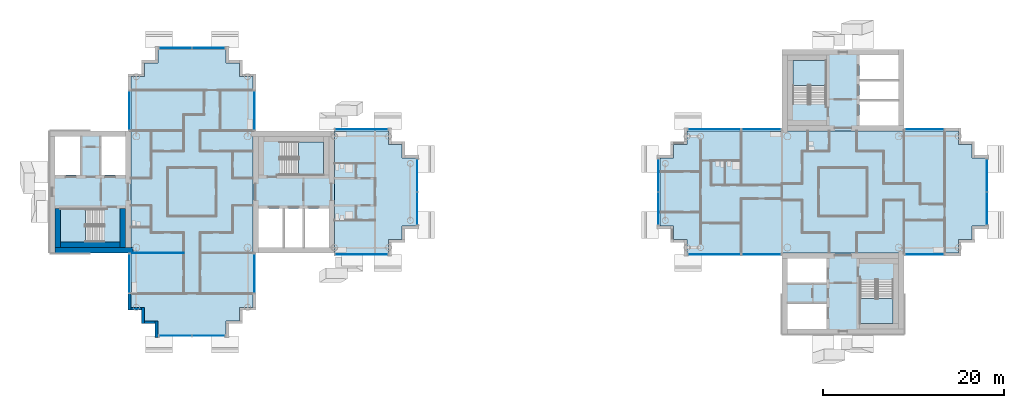
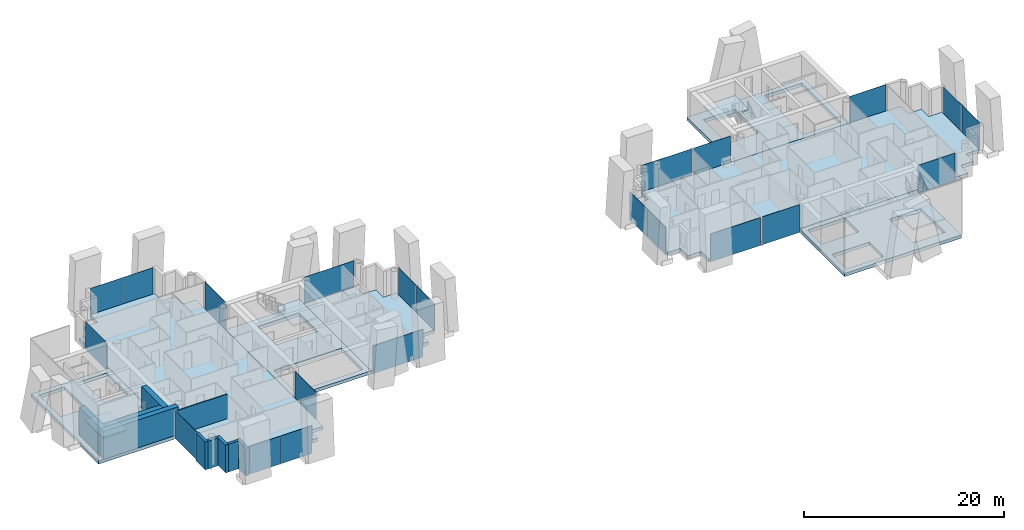
# One storey, part 5 of 18: 22 plates, 11 slabs, 10 walls, 21 elements without a shape of their own.
"""IFC4 building model written with IfcOpenShell, lengths in metres."""

from ifc_helpers import new_model, si_unit, direction, frame, frame_2d, origin, origin_2d, place, context, subcontext, project, spatial, polyline, rectangle, outline, extrude, material, layer, layer_set, type_object, element, aggregate, save


model = new_model("IFC4")

# Units and contexts
model_context = context("Model", 3, precision=1e-05, world=origin(), true_north=direction((0.0, 1.0)))
body_context = subcontext(model_context, "Body", "Model", "MODEL_VIEW")
ifc_project = project(units=[si_unit("LENGTHUNIT", "METRE"), si_unit("AREAUNIT", "SQUARE_METRE"), si_unit("VOLUMEUNIT", "CUBIC_METRE"), si_unit("PLANEANGLEUNIT", "RADIAN"), si_unit("MASSUNIT", "GRAM", prefix="KILO")], contexts=[model_context])

# Site, building, storey
site_placement = place(None, origin())
site = spatial("IfcSite", under=ifc_project, at=site_placement, CompositionType="ELEMENT")
building_placement = place(site_placement, origin())
building = spatial("IfcBuilding", under=site, at=building_placement, Name="Ipe Terrace Towers", CompositionType="ELEMENT")
storey_placement = place(building_placement, frame((0.0, 0.0, 196.0)))
storey = spatial("IfcBuildingStorey", under=building, at=storey_placement, Name="L54", CompositionType="ELEMENT", Elevation=196.0)

# Slabs
ifc_material_1 = material(Name="Concrete C30/37", Category="concrete")
ifc_layer_1 = layer(ifc_material_1, 0.39990234375)
ifc_layer_set_1 = layer_set([ifc_layer_1], Name="CORE FLOOR SLAB 400 C30-37")
slab_type_1 = type_object("IfcSlabType", Name="CORE FLOOR SLAB 400 C30-37", PredefinedType="FLOOR", material=ifc_layer_set_1)
slab_1_placement = place(storey_placement, frame((0.0, 0.0, -0.39990234375)))
element("IfcSlab", 1, at=slab_1_placement, inside=storey, type_object=slab_type_1, Name="Core floor T1-C1", PredefinedType="FLOOR", context=body_context, shape_type="SweptSolid", body=[
    extrude(outline(polyline([(-29.25, -6.75), (-29.25, 6.75), (-20.25, 6.75), (-20.25, -6.75), (-29.25, -6.75)]), holes=[polyline([(-28.64990234375, -6.14990234375), (-20.85009765625, -6.14990234375), (-20.85009765625, -1.85009765625), (-28.64990234375, -1.85009765625), (-28.64990234375, -6.14990234375)]), polyline([(-26.199951171875, 5.550048828125), (-26.199951171875, 1.89990234375), (-21.449951171875, 1.89990234375), (-21.449951171875, 5.550048828125), (-26.199951171875, 5.550048828125)])]), origin(), (0.0, 0.0, 1.0), 0.39990234375),
])
slab_2_placement = place(storey_placement, frame((0.0, 0.0, -0.39990234375)))
element("IfcSlab", 2, at=slab_2_placement, inside=storey, type_object=slab_type_1, Name="Core floor T1-C2", PredefinedType="FLOOR", context=body_context, shape_type="SweptSolid", body=[
    extrude(outline(polyline([(-51.75, -6.75), (-51.75, 6.75), (-42.75, 6.75), (-42.75, -6.75), (-51.75, -6.75)]), holes=[polyline([(-45.800048828125, -1.89990234375), (-50.550048828125, -1.89990234375), (-50.550048828125, -5.550048828125), (-45.800048828125, -5.550048828125), (-45.800048828125, -1.89990234375)]), polyline([(-48.25, 1.85009765625), (-48.25, 6.14990234375), (-51.14990234375, 6.14990234375), (-51.14990234375, 1.85009765625), (-48.25, 1.85009765625)]), polyline([(-43.35009765625, 1.85009765625), (-43.35009765625, 6.14990234375), (-46.14990234375, 6.14990234375), (-46.14990234375, 1.85009765625), (-43.35009765625, 1.85009765625)])]), origin(), (0.0, 0.0, 1.0), 0.39990234375),
])
slab_3_placement = place(storey_placement, frame((0.0, 0.0, -0.39990234375)))
element("IfcSlab", 3, at=slab_3_placement, inside=storey, type_object=slab_type_1, Name="Core floor T2-C1", PredefinedType="FLOOR", context=body_context, shape_type="SweptSolid", body=[
    extrude(outline(polyline([(29.25, 6.75), (29.25, 15.75), (42.75, 15.75), (42.75, 6.75), (29.25, 6.75)]), holes=[polyline([(42.14990234375, 7.35009765625), (42.14990234375, 15.14990234375), (37.85009765625, 15.14990234375), (37.85009765625, 7.35009765625), (42.14990234375, 7.35009765625)]), polyline([(30.449951171875, 9.800048828125), (34.10009765625, 9.800048828125), (34.10009765625, 14.550048828125), (30.449951171875, 14.550048828125), (30.449951171875, 9.800048828125)])]), origin(), (0.0, 0.0, 1.0), 0.39990234375),
])
slab_4_placement = place(storey_placement, frame((0.0, 0.0, -0.39990234375)))
element("IfcSlab", 4, at=slab_4_placement, inside=storey, type_object=slab_type_1, Name="Core floor T2-C2", PredefinedType="FLOOR", context=body_context, shape_type="SweptSolid", body=[
    extrude(outline(polyline([(29.25, -15.75), (29.25, -6.75), (42.75, -6.75), (42.75, -15.75), (29.25, -15.75)]), holes=[polyline([(29.85009765625, -12.25), (29.85009765625, -15.14990234375), (34.14990234375, -15.14990234375), (34.14990234375, -12.25), (29.85009765625, -12.25)]), polyline([(41.550048828125, -9.800048828125), (37.89990234375, -9.800048828125), (37.89990234375, -14.550048828125), (41.550048828125, -14.550048828125), (41.550048828125, -9.800048828125)]), polyline([(34.14990234375, -7.35009765625), (29.85009765625, -7.35009765625), (29.85009765625, -10.14990234375), (34.14990234375, -10.14990234375), (34.14990234375, -7.35009765625)])]), origin(), (0.0, 0.0, 1.0), 0.39990234375),
])

# Stair, slab
ifc_material_2 = material(Name="Concrete C30/37", Category="concrete")
stair_type = type_object("IfcStairType", Name="Protected exit stair", PredefinedType="HALF_TURN_STAIR", material=ifc_material_2)
stair_1_placement = place(storey_placement, origin())
stair_1 = element("IfcStair", 5, at=stair_1_placement, inside=storey, type_object=stair_type, Name="L54 Exit stair T1-C1", PredefinedType="HALF_TURN_STAIR")
ifc_material_3 = material(Name="Concrete C30/37", Category="concrete")
ifc_layer_2 = layer(ifc_material_3, 0.199951171875)
ifc_layer_set_2 = layer_set([ifc_layer_2], Name="Exit stair landing 200")
slab_type_2 = type_object("IfcSlabType", Name="Exit stair landing 200", PredefinedType="LANDING", material=ifc_layer_set_2)
slab_5_placement = place(storey_placement, frame((0.0, 0.0, 1.5)))
slab_5 = element("IfcSlab", 6, at=slab_5_placement, type_object=slab_type_2, Name="T1-ST1 landing 1", PredefinedType="LANDING", context=body_context, shape_type="SweptSolid", body=[
    extrude(outline(polyline([(-24.219970703125, 1.89990234375), (-21.449951171875, 1.89990234375), (-21.449951171875, 5.550048828125), (-24.219970703125, 5.550048828125), (-24.219970703125, 1.89990234375)])), origin(), (0.0, 0.0, 1.0), 0.199951171875),
])
aggregate(stair_1, [slab_5])

stair_2_placement = place(storey_placement, origin())
stair_2 = element("IfcStair", 7, at=stair_2_placement, inside=storey, type_object=stair_type, Name="L54 Exit stair T1-C2", PredefinedType="HALF_TURN_STAIR")
slab_6_placement = place(storey_placement, frame((0.0, 0.0, 1.5)))
slab_6 = element("IfcSlab", 8, at=slab_6_placement, type_object=slab_type_2, Name="T1-ST2 landing 1", PredefinedType="LANDING", context=body_context, shape_type="SweptSolid", body=[
    extrude(outline(polyline([(-47.780029296875, -1.89990234375), (-50.550048828125, -1.89990234375), (-50.550048828125, -5.550048828125), (-47.780029296875, -5.550048828125), (-47.780029296875, -1.89990234375)])), origin(), (0.0, 0.0, 1.0), 0.199951171875),
])
aggregate(stair_2, [slab_6])

stair_3_placement = place(storey_placement, origin())
stair_3 = element("IfcStair", 9, at=stair_3_placement, inside=storey, type_object=stair_type, Name="L54 Exit stair T2-C1", PredefinedType="HALF_TURN_STAIR")
slab_7_placement = place(storey_placement, frame((0.0, 0.0, 1.5)))
slab_7 = element("IfcSlab", 10, at=slab_7_placement, type_object=slab_type_2, Name="T2-ST1 landing 1", PredefinedType="LANDING", context=body_context, shape_type="SweptSolid", body=[
    extrude(outline(polyline([(34.10009765625, 11.780029296875), (34.10009765625, 14.550048828125), (30.449951171875, 14.550048828125), (30.449951171875, 11.780029296875), (34.10009765625, 11.780029296875)])), origin(), (0.0, 0.0, 1.0), 0.199951171875),
])
aggregate(stair_3, [slab_7])

stair_4_placement = place(storey_placement, origin())
stair_4 = element("IfcStair", 11, at=stair_4_placement, inside=storey, type_object=stair_type, Name="L54 Exit stair T2-C2", PredefinedType="HALF_TURN_STAIR")
slab_8_placement = place(storey_placement, frame((0.0, 0.0, 1.5)))
slab_8 = element("IfcSlab", 12, at=slab_8_placement, type_object=slab_type_2, Name="T2-ST2 landing 1", PredefinedType="LANDING", context=body_context, shape_type="SweptSolid", body=[
    extrude(outline(polyline([(37.89990234375, -11.780029296875), (37.89990234375, -14.550048828125), (41.550048828125, -14.550048828125), (41.550048828125, -11.780029296875), (37.89990234375, -11.780029296875)])), origin(), (0.0, 0.0, 1.0), 0.199951171875),
])
aggregate(stair_4, [slab_8])

# Slabs
ifc_material_4 = material(Name="Concrete C40/50", Category="concrete")
ifc_layer_3 = layer(ifc_material_4, 0.39990234375)
ifc_layer_set_3 = layer_set([ifc_layer_3], Name="FLAT PLATE SLAB 400 C40-50")
slab_type_3 = type_object("IfcSlabType", Name="FLAT PLATE SLAB 400 C40-50", PredefinedType="FLOOR", material=ifc_layer_set_3)
slab_9_placement = place(storey_placement, frame((0.0, 0.0, -0.39990234375)))
element("IfcSlab", 13, at=slab_9_placement, inside=storey, type_object=slab_type_3, Name="Slab T1-FS-Z41", PredefinedType="FLOOR", context=body_context, shape_type="SweptSolid", body=[
    extrude(outline(polyline([(-30.75, -12.75), (-30.75, -14.25), (-32.25, -14.25), (-32.25, -15.75), (-39.75, -15.75), (-39.75, -14.25), (-41.25, -14.25), (-41.25, -12.75), (-42.75, -12.75), (-42.75, -6.75), (-42.75, 6.75), (-42.75, 12.75), (-41.25, 12.75), (-41.25, 14.25), (-39.75, 14.25), (-39.75, 15.75), (-32.25, 15.75), (-32.25, 14.25), (-30.75, 14.25), (-30.75, 12.75), (-29.25, 12.75), (-29.25, 6.75), (-29.25, -6.75), (-29.25, -12.75), (-30.75, -12.75)])), origin(), (0.0, 0.0, 1.0), 0.39990234375),
])
slab_10_placement = place(storey_placement, frame((0.0, 0.0, -0.39990234375)))
element("IfcSlab", 14, at=slab_10_placement, inside=storey, type_object=slab_type_3, Name="Slab T1-FS-Z42", PredefinedType="FLOOR", context=body_context, shape_type="SweptSolid", body=[
    extrude(outline(polyline([(-14.25, 5.25), (-12.75, 5.25), (-12.75, 3.75), (-11.25, 3.75), (-11.25, -3.75), (-12.75, -3.75), (-12.75, -5.25), (-14.25, -5.25), (-14.25, -6.75), (-20.25, -6.75), (-20.25, 6.75), (-14.25, 6.75), (-14.25, 5.25)])), origin(), (0.0, 0.0, 1.0), 0.39990234375),
])
slab_11_placement = place(storey_placement, frame((0.0, 0.0, -0.39990234375)))
element("IfcSlab", 15, at=slab_11_placement, inside=storey, type_object=slab_type_3, Name="Slab T2-FS-Z41", PredefinedType="FLOOR", context=body_context, shape_type="SweptSolid", body=[
    extrude(outline(polyline([(48.75, 5.25), (50.25, 5.25), (50.25, 3.75), (51.75, 3.75), (51.75, -3.75), (50.25, -3.75), (50.25, -5.25), (48.75, -5.25), (48.75, -6.75), (42.75, -6.75), (29.25, -6.75), (18.75, -6.75), (18.75, -5.25), (17.25, -5.25), (17.25, -3.75), (15.75, -3.75), (15.75, 3.75), (17.25, 3.75), (17.25, 5.25), (18.75, 5.25), (18.75, 6.75), (29.25, 6.75), (42.75, 6.75), (48.75, 6.75), (48.75, 5.25)])), origin(), (0.0, 0.0, 1.0), 0.39990234375),
])

# Curtain wall, plate
ifc_material_5 = material(Name="Aluminium alloy 6063-T6", Category="aluminium")
ifc_layer_4 = layer(ifc_material_5, 0.320068359375)
ifc_layer_set_4 = layer_set([ifc_layer_4], Name="TOWER UNITISED CURTAIN WALL")
curtain_wall_type = type_object("IfcCurtainWallType", Name="TOWER UNITISED CURTAIN WALL", PredefinedType="NOTDEFINED", material=ifc_layer_set_4)
curtain_wall_1_placement = place(storey_placement, origin())
curtain_wall_1 = element("IfcCurtainWall", 16, at=curtain_wall_1_placement, inside=storey, type_object=curtain_wall_type, Name="T1-CW-L54-02a curtain wall", PredefinedType="NOTDEFINED")
ifc_material_6 = material(Name="Glass, clear laminated", Category="glass")
ifc_layer_5 = layer(ifc_material_6, 0.031982421875)
ifc_layer_set_5 = layer_set([ifc_layer_5], Name="TOWER UNITISED GLASS PANEL 32")
plate_type = type_object("IfcPlateType", Name="TOWER UNITISED GLASS PANEL 32", PredefinedType="CURTAIN_PANEL", material=ifc_layer_set_5)
plate_1_placement = place(storey_placement, frame((-42.909912109375, -9.0, -0.300048828125), z_axis=(0.0, 0.0, 1.0), x_axis=(0.0, -1.0, 0.0)))
plate_1 = element("IfcPlate", 17, at=plate_1_placement, type_object=plate_type, Name="T1-CW-L54-02a panel 1", PredefinedType="CURTAIN_PANEL", context=body_context, shape_type="SweptSolid", body=[
    extrude(rectangle(XDim=4.260009765625, YDim=0.031982421875, at=origin_2d()), origin(), (0.0, 0.0, 1.0), 3.39990234375),
])
aggregate(curtain_wall_1, [plate_1])

# Curtain wall, plates
curtain_wall_2_placement = place(storey_placement, origin())
curtain_wall_2 = element("IfcCurtainWall", 18, at=curtain_wall_2_placement, inside=storey, type_object=curtain_wall_type, Name="T1-CW-L54-08a curtain wall", PredefinedType="NOTDEFINED")
plate_2_placement = place(storey_placement, frame((-37.831298828125, -15.909912109375, -0.300048828125), z_axis=(0.0, 0.0, 1.0), x_axis=(1.0, 0.0, 0.0)))
plate_2 = element("IfcPlate", 19, at=plate_2_placement, type_object=plate_type, Name="T1-CW-L54-08a panel 1", PredefinedType="CURTAIN_PANEL", context=body_context, shape_type="SweptSolid", body=[
    extrude(rectangle(XDim=3.597412109375, YDim=0.031982421875, at=origin_2d()), origin(), (0.0, 0.0, 1.0), 3.39990234375),
])
plate_3_placement = place(storey_placement, frame((-34.168701171875, -15.909912109375, -0.300048828125), z_axis=(0.0, 0.0, 1.0), x_axis=(1.0, 0.0, 0.0)))
plate_3 = element("IfcPlate", 20, at=plate_3_placement, type_object=plate_type, Name="T1-CW-L54-08a panel 2", PredefinedType="CURTAIN_PANEL", context=body_context, shape_type="SweptSolid", body=[
    extrude(rectangle(XDim=3.597412109375, YDim=0.031982421875, at=origin_2d()), origin(), (0.0, 0.0, 1.0), 3.39990234375),
])
aggregate(curtain_wall_2, [plate_2, plate_3])

# Curtain wall, plate
curtain_wall_3_placement = place(storey_placement, origin())
curtain_wall_3 = element("IfcCurtainWall", 21, at=curtain_wall_3_placement, inside=storey, type_object=curtain_wall_type, Name="T1-CW-L54-14a curtain wall", PredefinedType="NOTDEFINED")
plate_4_placement = place(storey_placement, frame((-29.090087890625, -9.0, -0.300048828125), z_axis=(0.0, 0.0, 1.0), x_axis=(0.0, 1.0, 0.0)))
plate_4 = element("IfcPlate", 22, at=plate_4_placement, type_object=plate_type, Name="T1-CW-L54-14a panel 1", PredefinedType="CURTAIN_PANEL", context=body_context, shape_type="SweptSolid", body=[
    extrude(rectangle(XDim=4.260009765625, YDim=0.031982421875, at=origin_2d()), origin(), (0.0, 0.0, 1.0), 3.39990234375),
])
aggregate(curtain_wall_3, [plate_4])

curtain_wall_4_placement = place(storey_placement, origin())
curtain_wall_4 = element("IfcCurtainWall", 23, at=curtain_wall_4_placement, inside=storey, type_object=curtain_wall_type, Name="T1-CW-L54-16b curtain wall", PredefinedType="NOTDEFINED")
plate_5_placement = place(storey_placement, frame((-17.24951171875, -6.909912109375, -0.300048828125), z_axis=(0.0, 0.0, 1.0), x_axis=(1.0, 0.0, 0.0)))
plate_5 = element("IfcPlate", 24, at=plate_5_placement, type_object=plate_type, Name="T1-CW-L54-16b panel 1", PredefinedType="CURTAIN_PANEL", context=body_context, shape_type="SweptSolid", body=[
    extrude(rectangle(XDim=5.759033203125, YDim=0.031982421875, at=origin_2d()), origin(), (0.0, 0.0, 1.0), 3.39990234375),
])
aggregate(curtain_wall_4, [plate_5])

# Curtain wall, plates
curtain_wall_5_placement = place(storey_placement, origin())
curtain_wall_5 = element("IfcCurtainWall", 25, at=curtain_wall_5_placement, inside=storey, type_object=curtain_wall_type, Name="T1-CW-L54-21a curtain wall", PredefinedType="NOTDEFINED")
plate_6_placement = place(storey_placement, frame((-11.090087890625, -1.831298828125, -0.300048828125), z_axis=(0.0, 0.0, 1.0), x_axis=(0.0, 1.0, 0.0)))
plate_6 = element("IfcPlate", 26, at=plate_6_placement, type_object=plate_type, Name="T1-CW-L54-21a panel 1", PredefinedType="CURTAIN_PANEL", context=body_context, shape_type="SweptSolid", body=[
    extrude(rectangle(XDim=3.597412109375, YDim=0.031982421875, at=origin_2d()), origin(), (0.0, 0.0, 1.0), 3.39990234375),
])
plate_7_placement = place(storey_placement, frame((-11.090087890625, 1.831298828125, -0.300048828125), z_axis=(0.0, 0.0, 1.0), x_axis=(0.0, 1.0, 0.0)))
plate_7 = element("IfcPlate", 27, at=plate_7_placement, type_object=plate_type, Name="T1-CW-L54-21a panel 2", PredefinedType="CURTAIN_PANEL", context=body_context, shape_type="SweptSolid", body=[
    extrude(rectangle(XDim=3.597412109375, YDim=0.031982421875, at=origin_2d()), origin(), (0.0, 0.0, 1.0), 3.39990234375),
])
aggregate(curtain_wall_5, [plate_6, plate_7])

# Curtain wall, plate
curtain_wall_6_placement = place(storey_placement, origin())
curtain_wall_6 = element("IfcCurtainWall", 28, at=curtain_wall_6_placement, inside=storey, type_object=curtain_wall_type, Name="T1-CW-L54-26a curtain wall", PredefinedType="NOTDEFINED")
plate_8_placement = place(storey_placement, frame((-17.24951171875, 6.909912109375, -0.300048828125), z_axis=(0.0, 0.0, 1.0), x_axis=(-1.0, 0.0, 0.0)))
plate_8 = element("IfcPlate", 29, at=plate_8_placement, type_object=plate_type, Name="T1-CW-L54-26a panel 1", PredefinedType="CURTAIN_PANEL", context=body_context, shape_type="SweptSolid", body=[
    extrude(rectangle(XDim=5.759033203125, YDim=0.031982421875, at=origin_2d()), origin(), (0.0, 0.0, 1.0), 3.39990234375),
])
aggregate(curtain_wall_6, [plate_8])

curtain_wall_7_placement = place(storey_placement, origin())
curtain_wall_7 = element("IfcCurtainWall", 30, at=curtain_wall_7_placement, inside=storey, type_object=curtain_wall_type, Name="T1-CW-L54-28a curtain wall", PredefinedType="NOTDEFINED")
plate_9_placement = place(storey_placement, frame((-29.090087890625, 9.0, -0.300048828125), z_axis=(0.0, 0.0, 1.0), x_axis=(0.0, 1.0, 0.0)))
plate_9 = element("IfcPlate", 31, at=plate_9_placement, type_object=plate_type, Name="T1-CW-L54-28a panel 1", PredefinedType="CURTAIN_PANEL", context=body_context, shape_type="SweptSolid", body=[
    extrude(rectangle(XDim=4.260009765625, YDim=0.031982421875, at=origin_2d()), origin(), (0.0, 0.0, 1.0), 3.39990234375),
])
aggregate(curtain_wall_7, [plate_9])

# Curtain wall, plates
curtain_wall_8_placement = place(storey_placement, origin())
curtain_wall_8 = element("IfcCurtainWall", 32, at=curtain_wall_8_placement, inside=storey, type_object=curtain_wall_type, Name="T1-CW-L54-34a curtain wall", PredefinedType="NOTDEFINED")
plate_10_placement = place(storey_placement, frame((-34.168701171875, 15.909912109375, -0.300048828125), z_axis=(0.0, 0.0, 1.0), x_axis=(-1.0, 0.0, 0.0)))
plate_10 = element("IfcPlate", 33, at=plate_10_placement, type_object=plate_type, Name="T1-CW-L54-34a panel 1", PredefinedType="CURTAIN_PANEL", context=body_context, shape_type="SweptSolid", body=[
    extrude(rectangle(XDim=3.597412109375, YDim=0.031982421875, at=origin_2d()), origin(), (0.0, 0.0, 1.0), 3.39990234375),
])
plate_11_placement = place(storey_placement, frame((-37.831298828125, 15.909912109375, -0.300048828125), z_axis=(0.0, 0.0, 1.0), x_axis=(-1.0, 0.0, 0.0)))
plate_11 = element("IfcPlate", 34, at=plate_11_placement, type_object=plate_type, Name="T1-CW-L54-34a panel 2", PredefinedType="CURTAIN_PANEL", context=body_context, shape_type="SweptSolid", body=[
    extrude(rectangle(XDim=3.597412109375, YDim=0.031982421875, at=origin_2d()), origin(), (0.0, 0.0, 1.0), 3.39990234375),
])
aggregate(curtain_wall_8, [plate_10, plate_11])

# Curtain wall, plate
curtain_wall_9_placement = place(storey_placement, origin())
curtain_wall_9 = element("IfcCurtainWall", 35, at=curtain_wall_9_placement, inside=storey, type_object=curtain_wall_type, Name="T1-CW-L54-40a curtain wall", PredefinedType="NOTDEFINED")
plate_12_placement = place(storey_placement, frame((-42.909912109375, 9.0, -0.300048828125), z_axis=(0.0, 0.0, 1.0), x_axis=(0.0, -1.0, 0.0)))
plate_12 = element("IfcPlate", 36, at=plate_12_placement, type_object=plate_type, Name="T1-CW-L54-40a panel 1", PredefinedType="CURTAIN_PANEL", context=body_context, shape_type="SweptSolid", body=[
    extrude(rectangle(XDim=4.260009765625, YDim=0.031982421875, at=origin_2d()), origin(), (0.0, 0.0, 1.0), 3.39990234375),
])
aggregate(curtain_wall_9, [plate_12])

curtain_wall_10_placement = place(storey_placement, origin())
curtain_wall_10 = element("IfcCurtainWall", 37, at=curtain_wall_10_placement, inside=storey, type_object=curtain_wall_type, Name="T2-CW-L54-02a curtain wall", PredefinedType="NOTDEFINED")
plate_13_placement = place(storey_placement, frame((45.0, -6.909912109375, -0.300048828125), z_axis=(0.0, 0.0, 1.0), x_axis=(1.0, 0.0, 0.0)))
plate_13 = element("IfcPlate", 38, at=plate_13_placement, type_object=plate_type, Name="T2-CW-L54-02a panel 1", PredefinedType="CURTAIN_PANEL", context=body_context, shape_type="SweptSolid", body=[
    extrude(rectangle(XDim=4.260009765625, YDim=0.031982421875, at=origin_2d()), origin(), (0.0, 0.0, 1.0), 3.39990234375),
])
aggregate(curtain_wall_10, [plate_13])

# Curtain wall, plates
curtain_wall_11_placement = place(storey_placement, origin())
curtain_wall_11 = element("IfcCurtainWall", 39, at=curtain_wall_11_placement, inside=storey, type_object=curtain_wall_type, Name="T2-CW-L54-08a curtain wall", PredefinedType="NOTDEFINED")
plate_14_placement = place(storey_placement, frame((51.909912109375, -1.831298828125, -0.300048828125), z_axis=(0.0, 0.0, 1.0), x_axis=(0.0, 1.0, 0.0)))
plate_14 = element("IfcPlate", 40, at=plate_14_placement, type_object=plate_type, Name="T2-CW-L54-08a panel 1", PredefinedType="CURTAIN_PANEL", context=body_context, shape_type="SweptSolid", body=[
    extrude(rectangle(XDim=3.597412109375, YDim=0.031982421875, at=origin_2d()), origin(), (0.0, 0.0, 1.0), 3.39990234375),
])
plate_15_placement = place(storey_placement, frame((51.909912109375, 1.831298828125, -0.300048828125), z_axis=(0.0, 0.0, 1.0), x_axis=(0.0, 1.0, 0.0)))
plate_15 = element("IfcPlate", 41, at=plate_15_placement, type_object=plate_type, Name="T2-CW-L54-08a panel 2", PredefinedType="CURTAIN_PANEL", context=body_context, shape_type="SweptSolid", body=[
    extrude(rectangle(XDim=3.597412109375, YDim=0.031982421875, at=origin_2d()), origin(), (0.0, 0.0, 1.0), 3.39990234375),
])
aggregate(curtain_wall_11, [plate_14, plate_15])

# Curtain wall, plate
curtain_wall_12_placement = place(storey_placement, origin())
curtain_wall_12 = element("IfcCurtainWall", 42, at=curtain_wall_12_placement, inside=storey, type_object=curtain_wall_type, Name="T2-CW-L54-14a curtain wall", PredefinedType="NOTDEFINED")
plate_16_placement = place(storey_placement, frame((45.0, 6.909912109375, -0.300048828125), z_axis=(0.0, 0.0, 1.0), x_axis=(-1.0, 0.0, 0.0)))
plate_16 = element("IfcPlate", 43, at=plate_16_placement, type_object=plate_type, Name="T2-CW-L54-14a panel 1", PredefinedType="CURTAIN_PANEL", context=body_context, shape_type="SweptSolid", body=[
    extrude(rectangle(XDim=4.260009765625, YDim=0.031982421875, at=origin_2d()), origin(), (0.0, 0.0, 1.0), 3.39990234375),
])
aggregate(curtain_wall_12, [plate_16])

curtain_wall_13_placement = place(storey_placement, origin())
curtain_wall_13 = element("IfcCurtainWall", 44, at=curtain_wall_13_placement, inside=storey, type_object=curtain_wall_type, Name="T2-CW-L54-20a curtain wall", PredefinedType="NOTDEFINED")
plate_17_placement = place(storey_placement, frame((27.0, 6.909912109375, -0.300048828125), z_axis=(0.0, 0.0, 1.0), x_axis=(-1.0, 0.0, 0.0)))
plate_17 = element("IfcPlate", 45, at=plate_17_placement, type_object=plate_type, Name="T2-CW-L54-20a panel 1", PredefinedType="CURTAIN_PANEL", context=body_context, shape_type="SweptSolid", body=[
    extrude(rectangle(XDim=4.260009765625, YDim=0.031982421875, at=origin_2d()), origin(), (0.0, 0.0, 1.0), 3.39990234375),
])
aggregate(curtain_wall_13, [plate_17])

curtain_wall_14_placement = place(storey_placement, origin())
curtain_wall_14 = element("IfcCurtainWall", 46, at=curtain_wall_14_placement, inside=storey, type_object=curtain_wall_type, Name="T2-CW-L54-21a curtain wall", PredefinedType="NOTDEFINED")
plate_18_placement = place(storey_placement, frame((21.75, 6.909912109375, -0.300048828125), z_axis=(0.0, 0.0, 1.0), x_axis=(-1.0, 0.0, 0.0)))
plate_18 = element("IfcPlate", 47, at=plate_18_placement, type_object=plate_type, Name="T2-CW-L54-21a panel 1", PredefinedType="CURTAIN_PANEL", context=body_context, shape_type="SweptSolid", body=[
    extrude(rectangle(XDim=5.760009765625, YDim=0.031982421875, at=origin_2d()), origin(), (0.0, 0.0, 1.0), 3.39990234375),
])
aggregate(curtain_wall_14, [plate_18])

# Curtain wall, plates
curtain_wall_15_placement = place(storey_placement, origin())
curtain_wall_15 = element("IfcCurtainWall", 48, at=curtain_wall_15_placement, inside=storey, type_object=curtain_wall_type, Name="T2-CW-L54-26a curtain wall", PredefinedType="NOTDEFINED")
plate_19_placement = place(storey_placement, frame((15.590087890625, 1.831298828125, -0.300048828125), z_axis=(0.0, 0.0, 1.0), x_axis=(0.0, -1.0, 0.0)))
plate_19 = element("IfcPlate", 49, at=plate_19_placement, type_object=plate_type, Name="T2-CW-L54-26a panel 1", PredefinedType="CURTAIN_PANEL", context=body_context, shape_type="SweptSolid", body=[
    extrude(rectangle(XDim=3.597412109375, YDim=0.031982421875, at=origin_2d()), origin(), (0.0, 0.0, 1.0), 3.39990234375),
])
plate_20_placement = place(storey_placement, frame((15.590087890625, -1.831298828125, -0.300048828125), z_axis=(0.0, 0.0, 1.0), x_axis=(0.0, -1.0, 0.0)))
plate_20 = element("IfcPlate", 50, at=plate_20_placement, type_object=plate_type, Name="T2-CW-L54-26a panel 2", PredefinedType="CURTAIN_PANEL", context=body_context, shape_type="SweptSolid", body=[
    extrude(rectangle(XDim=3.597412109375, YDim=0.031982421875, at=origin_2d()), origin(), (0.0, 0.0, 1.0), 3.39990234375),
])
aggregate(curtain_wall_15, [plate_19, plate_20])

# Curtain wall, plate
curtain_wall_16_placement = place(storey_placement, origin())
curtain_wall_16 = element("IfcCurtainWall", 51, at=curtain_wall_16_placement, inside=storey, type_object=curtain_wall_type, Name="T2-CW-L54-31a curtain wall", PredefinedType="NOTDEFINED")
plate_21_placement = place(storey_placement, frame((21.75, -6.909912109375, -0.300048828125), z_axis=(0.0, 0.0, 1.0), x_axis=(1.0, 0.0, 0.0)))
plate_21 = element("IfcPlate", 52, at=plate_21_placement, type_object=plate_type, Name="T2-CW-L54-31a panel 1", PredefinedType="CURTAIN_PANEL", context=body_context, shape_type="SweptSolid", body=[
    extrude(rectangle(XDim=5.760009765625, YDim=0.031982421875, at=origin_2d()), origin(), (0.0, 0.0, 1.0), 3.39990234375),
])
aggregate(curtain_wall_16, [plate_21])

curtain_wall_17_placement = place(storey_placement, origin())
curtain_wall_17 = element("IfcCurtainWall", 53, at=curtain_wall_17_placement, inside=storey, type_object=curtain_wall_type, Name="T2-CW-L54-32a curtain wall", PredefinedType="NOTDEFINED")
plate_22_placement = place(storey_placement, frame((27.0, -6.909912109375, -0.300048828125), z_axis=(0.0, 0.0, 1.0), x_axis=(1.0, 0.0, 0.0)))
plate_22 = element("IfcPlate", 54, at=plate_22_placement, type_object=plate_type, Name="T2-CW-L54-32a panel 1", PredefinedType="CURTAIN_PANEL", context=body_context, shape_type="SweptSolid", body=[
    extrude(rectangle(XDim=4.260009765625, YDim=0.031982421875, at=origin_2d()), origin(), (0.0, 0.0, 1.0), 3.39990234375),
])
aggregate(curtain_wall_17, [plate_22])

# Walls
ifc_material_7 = material(Name="Concrete C40/50 with buff precast cladding", Category="concrete")
ifc_layer_6 = layer(ifc_material_7, 0.320068359375)
ifc_layer_set_6 = layer_set([ifc_layer_6], Name="BUFF CLADDING WALL 320")
wall_type_1 = type_object("IfcWallType", Name="BUFF CLADDING WALL 320", PredefinedType="STANDARD", material=ifc_layer_set_6)
wall_1_placement = place(storey_placement, frame((-42.909912109375, -11.25, -0.300048828125), z_axis=(0.0, 0.0, 1.0), x_axis=(0.0, -1.0, 0.0)))
element("IfcWall", 55, at=wall_1_placement, inside=storey, type_object=wall_type_1, Name="T1-W-L54-03a wall", PredefinedType="STANDARD", context=body_context, shape_type="SweptSolid", body=[
    extrude(rectangle(XDim=1.820068359375, YDim=0.320068359375, at=frame_2d((0.91015625, 0.0))), origin(), (0.0, 0.0, 1.0), 3.400146484375),
])
wall_2_placement = place(storey_placement, frame((-42.75, -12.909912109375, -0.300048828125), z_axis=(0.0, 0.0, 1.0), x_axis=(1.0, 0.0, 0.0)))
element("IfcWall", 56, at=wall_2_placement, inside=storey, type_object=wall_type_1, Name="T1-W-L54-04a wall", PredefinedType="STANDARD", context=body_context, shape_type="SweptSolid", body=[
    extrude(rectangle(XDim=1.179931640625, YDim=0.320068359375, at=frame_2d((0.58984375, 0.0))), origin(), (0.0, 0.0, 1.0), 3.400146484375),
])
wall_3_placement = place(storey_placement, frame((-41.409912109375, -12.75, -0.300048828125), z_axis=(0.0, 0.0, 1.0), x_axis=(0.0, -1.0, 0.0)))
element("IfcWall", 57, at=wall_3_placement, inside=storey, type_object=wall_type_1, Name="T1-W-L54-05a wall", PredefinedType="STANDARD", context=body_context, shape_type="SweptSolid", body=[
    extrude(rectangle(XDim=1.820068359375, YDim=0.320068359375, at=frame_2d((0.91015625, 0.0))), origin(), (0.0, 0.0, 1.0), 3.400146484375),
])
wall_4_placement = place(storey_placement, frame((-41.25, -14.409912109375, -0.300048828125), z_axis=(0.0, 0.0, 1.0), x_axis=(1.0, 0.0, 0.0)))
element("IfcWall", 58, at=wall_4_placement, inside=storey, type_object=wall_type_1, Name="T1-W-L54-06a wall", PredefinedType="STANDARD", context=body_context, shape_type="SweptSolid", body=[
    extrude(rectangle(XDim=1.179931640625, YDim=0.320068359375, at=frame_2d((0.58984375, 0.0))), origin(), (0.0, 0.0, 1.0), 3.400146484375),
])
wall_5_placement = place(storey_placement, frame((-39.909912109375, -14.25, -0.300048828125), z_axis=(0.0, 0.0, 1.0), x_axis=(0.0, -1.0, 0.0)))
element("IfcWall", 59, at=wall_5_placement, inside=storey, type_object=wall_type_1, Name="T1-W-L54-07a wall", PredefinedType="STANDARD", context=body_context, shape_type="SweptSolid", body=[
    extrude(rectangle(XDim=1.820068359375, YDim=0.320068359375, at=frame_2d((0.91015625, 0.0))), origin(), (0.0, 0.0, 1.0), 3.400146484375),
])
ifc_material_8 = material(Name="Gypsum board partition", Category="plasterboard")
ifc_layer_7 = layer(ifc_material_8, 0.10009765625)
ifc_layer_set_7 = layer_set([ifc_layer_7], Name="Gypsum board partition 100 mm")
wall_type_2 = type_object("IfcWallType", Name="Gypsum board partition 100 mm", PredefinedType="PARTITIONING", material=ifc_layer_set_7)
wall_6_placement = place(storey_placement, frame((-42.85009765625, -6.75, 0.0), z_axis=(0.0, 0.0, 1.0), x_axis=(1.0, 0.0, 0.0)))
element("IfcWall", 60, at=wall_6_placement, inside=storey, type_object=wall_type_2, Name="Gypsum board partition T1 L54 W19", PredefinedType="PARTITIONING", context=body_context, shape_type="SweptSolid", body=[
    extrude(rectangle(XDim=5.9501953125, YDim=0.10009765625, at=frame_2d((2.97509765625, 0.0))), origin(), (0.0, 0.0, 1.0), 3.0),
])
ifc_material_9 = material(Name="Concrete C40/50", Category="concrete")
ifc_layer_8 = layer(ifc_material_9, 0.60009765625)
ifc_layer_set_8 = layer_set([ifc_layer_8], Name="RW600 CORE INFILL WALL 600 C40-50")
wall_type_3 = type_object("IfcWallType", Name="RW600 CORE INFILL WALL 600 C40-50", PredefinedType="SHEAR", material=ifc_layer_set_8)
wall_7_placement = place(storey_placement, frame((-50.85009765625, -1.85009765625, 0.0), z_axis=(0.0, 0.0, 1.0), x_axis=(0.0, -1.0, 0.0)))
element("IfcWall", 61, at=wall_7_placement, inside=storey, type_object=wall_type_3, Name="Core infill wall T1-C2-far", PredefinedType="SHEAR", context=body_context, shape_type="SweptSolid", body=[
    extrude(rectangle(XDim=4.2998046875, YDim=0.60009765625, at=frame_2d((2.14990234375, 0.0))), origin(), (0.0, 0.0, 1.0), 3.39990234375),
])
wall_8_placement = place(storey_placement, frame((-43.949951171875, -5.85009765625, 0.0), z_axis=(0.0, 0.0, 1.0), x_axis=(-1.0, 0.0, 0.0)))
element("IfcWall", 62, at=wall_8_placement, inside=storey, type_object=wall_type_3, Name="Core infill wall T1-C2-back", PredefinedType="SHEAR", context=body_context, shape_type="SweptSolid", body=[
    extrude(rectangle(XDim=6.60009765625, YDim=0.60009765625, at=frame_2d((3.300048828125, 0.0))), origin(), (0.0, 0.0, 1.0), 3.39990234375),
])
wall_9_placement = place(storey_placement, frame((-43.64990234375, -1.85009765625, 0.0), z_axis=(0.0, 0.0, 1.0), x_axis=(0.0, -1.0, 0.0)))
element("IfcWall", 63, at=wall_9_placement, inside=storey, type_object=wall_type_3, Name="Core infill wall T1-C2-near", PredefinedType="SHEAR", context=body_context, shape_type="SweptSolid", body=[
    extrude(rectangle(XDim=4.2998046875, YDim=0.60009765625, at=frame_2d((2.14990234375, 0.0))), origin(), (0.0, 0.0, 1.0), 3.39990234375),
])
ifc_material_10 = material(Name="Concrete C40/50", Category="concrete")
ifc_layer_9 = layer(ifc_material_10, 0.60009765625)
ifc_layer_set_9 = layer_set([ifc_layer_9], Name="RW600 CORE WALL 600 C40-50")
wall_type_4 = type_object("IfcWallType", Name="RW600 CORE WALL 600 C40-50", PredefinedType="SHEAR", material=ifc_layer_set_9)
wall_10_placement = place(storey_placement, frame((-51.14990234375, -6.449951171875, 0.0), z_axis=(0.0, 0.0, 1.0), x_axis=(1.0, 0.0, 0.0)))
element("IfcWall", 64, at=wall_10_placement, inside=storey, type_object=wall_type_4, Name="Core wall T1-C2-Z4-W01", PredefinedType="SHEAR", context=body_context, shape_type="SweptSolid", body=[
    extrude(rectangle(XDim=8.64794921875, YDim=0.60009765625, at=frame_2d((4.323974609375, 0.0))), origin(), (0.0, 0.0, 1.0), 3.39990234375),
])

save(model, "model.ifc")
